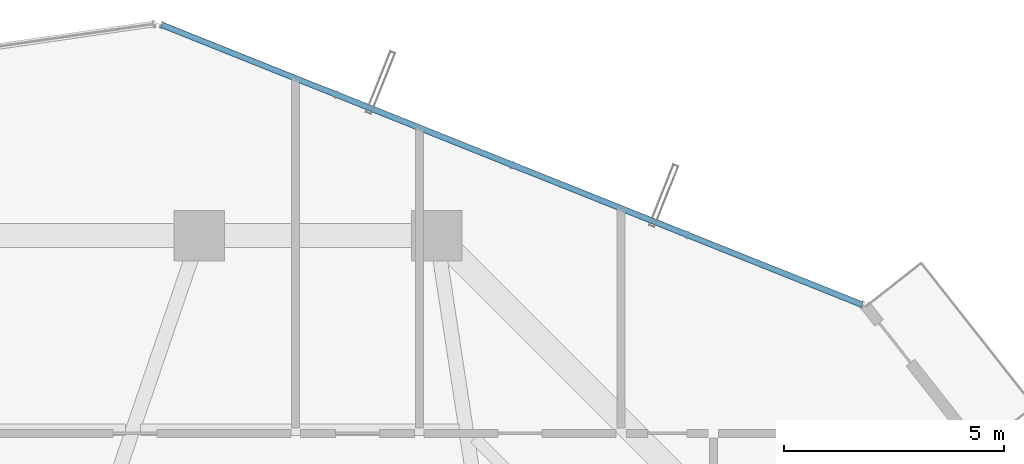
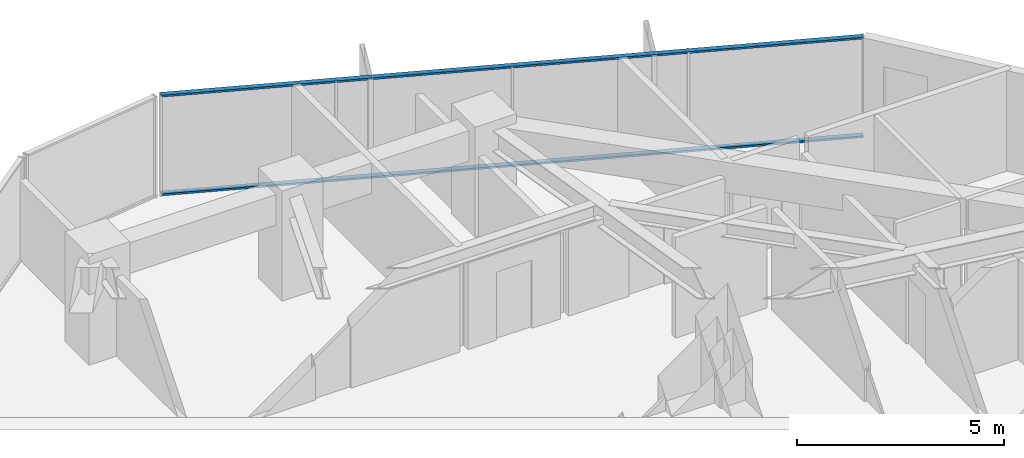
# One storey, part 25 of 34: 2 members, 1 element without a shape of its own.
"""IFC4 building model written with IfcOpenShell, lengths in metres."""

from ifc_helpers import new_model, si_unit, direction, frame, origin, origin_2d, place, context, subcontext, project, spatial, hollow_rectangle, extrude, source, transform, mapped, material, layer, layer_set, material_profile, profile_set, type_object, element, aggregate, save


model = new_model("IFC4")

# Units and contexts
model_context = context("Model", 3, precision=1e-05, world=origin(), true_north=direction((0.0, 1.0)))
body_context = subcontext(model_context, "Body", "Model", "MODEL_VIEW")
ifc_project = project(units=[si_unit("LENGTHUNIT", "METRE"), si_unit("AREAUNIT", "SQUARE_METRE"), si_unit("VOLUMEUNIT", "CUBIC_METRE"), si_unit("PLANEANGLEUNIT", "RADIAN"), si_unit("MASSUNIT", "GRAM", prefix="KILO")], contexts=[model_context])

# Site, building, storey
site_placement = place(None, origin())
site = spatial("IfcSite", under=ifc_project, at=site_placement, CompositionType="ELEMENT")
building_placement = place(site_placement, origin())
building = spatial("IfcBuilding", under=site, at=building_placement, Name="Veraguas Prism Commons", CompositionType="ELEMENT")
storey_placement = place(building_placement, frame((0.0, 0.0, 155.5)))
storey = spatial("IfcBuildingStorey", under=building, at=storey_placement, Name="L44", CompositionType="ELEMENT", Elevation=155.5)

# Curtain wall, members
ifc_material = material(Name="Anodised aluminium EN AW-6063 T6", Category="aluminium")
ifc_layer = layer(ifc_material, 0.169921875, Name="Unitised Flush Curtain Wall Zone 2", Category="aluminium")
ifc_layer_set = layer_set([ifc_layer], Name="Anodised aluminium EN AW-6063 T6")
curtain_wall_type = type_object("IfcCurtainWallType", Name="Unitised Flush Curtain Wall Zone 2", PredefinedType="NOTDEFINED", material=ifc_layer_set)
curtain_wall_placement = place(storey_placement, origin())
curtain_wall = element("IfcCurtainWall", 1, at=curtain_wall_placement, inside=storey, type_object=curtain_wall_type, Name="Tower Facade Curtain Wall L44-F1", PredefinedType="NOTDEFINED")
ifc_material_profile = material_profile(ifc_material, hollow_rectangle(XDim=0.054931640625, YDim=0.135009765625, WallThickness=0.0029296875, at=origin_2d()), Name="AL55X135X3")
ifc_profile_set = profile_set([ifc_material_profile], Name="Anodised aluminium EN AW-6063 T6")
member_type = type_object("IfcMemberType", Name="Curtain Wall Transom Standard AL 55x135x3", PredefinedType="USERDEFINED", material=ifc_profile_set)
shared_shape = source(origin(), body_context, "Body", "SweptSolid", [
    extrude(hollow_rectangle(XDim=0.054931640625, YDim=0.135009765625, WallThickness=0.0029296875, at=origin_2d()), origin(), (0.0, 0.0, 1.0), 17.17431640625),
])
member_1_placement = place(storey_placement, frame((39.091796875, 38.626953125, 0.027587890625), z_axis=(-0.928618776531, 0.371035265002, 0.0), x_axis=(0.0, 0.0, 1.0)))
member_1 = element("IfcMember", 2, at=member_1_placement, type_object=member_type, Name="CW-Z2 Transom 1", ObjectType="TRANSOM", PredefinedType="USERDEFINED", context=body_context, shape_type="MappedRepresentation", body=[
    mapped(shared_shape, transform((0.0, 0.0, 0.0), scale=1.0)),
])
member_2_placement = place(storey_placement, frame((39.091796875, 38.626953125, 2.9423828125), z_axis=(-0.928618776531, 0.371035265002, 0.0), x_axis=(0.0, 0.0, 1.0)))
member_2 = element("IfcMember", 3, at=member_2_placement, type_object=member_type, Name="CW-Z2 Transom 2", ObjectType="TRANSOM", PredefinedType="USERDEFINED", context=body_context, shape_type="MappedRepresentation", body=[
    mapped(shared_shape, transform((0.0, 0.0, 0.0), scale=1.0)),
])
aggregate(curtain_wall, [member_1, member_2])

save(model, "model.ifc")
